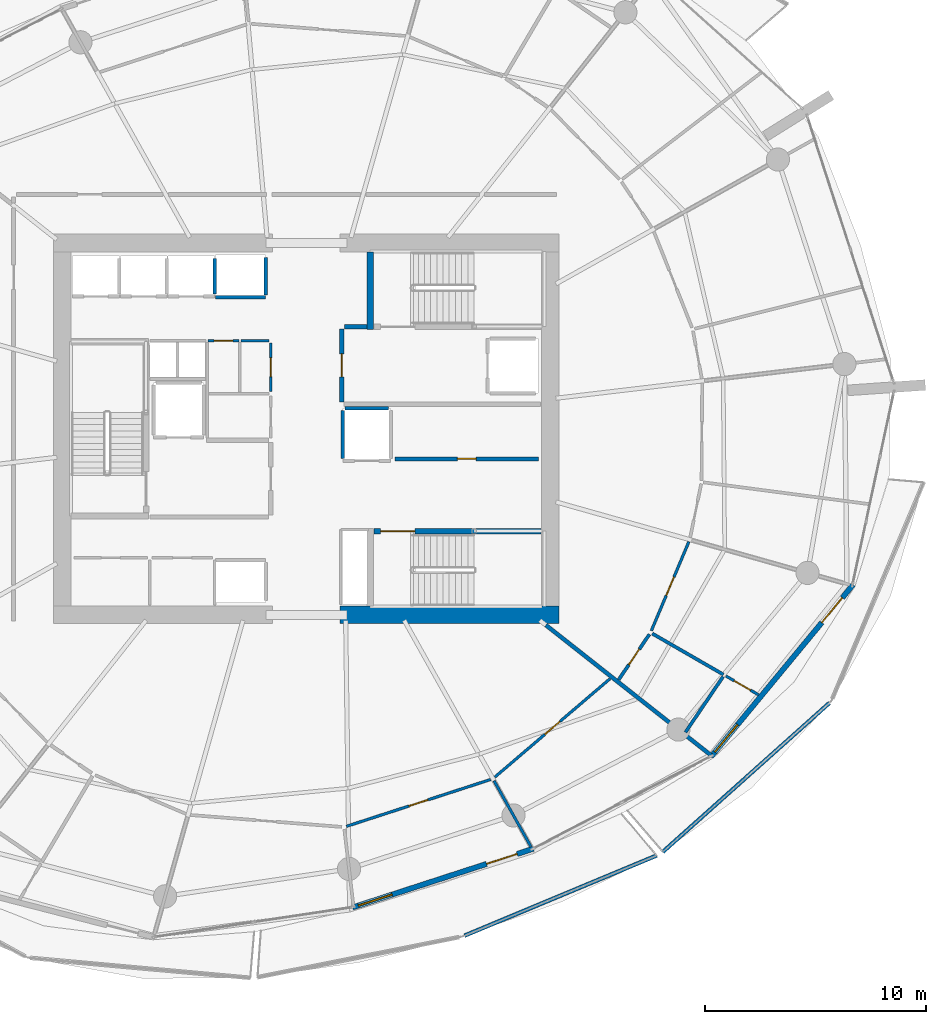
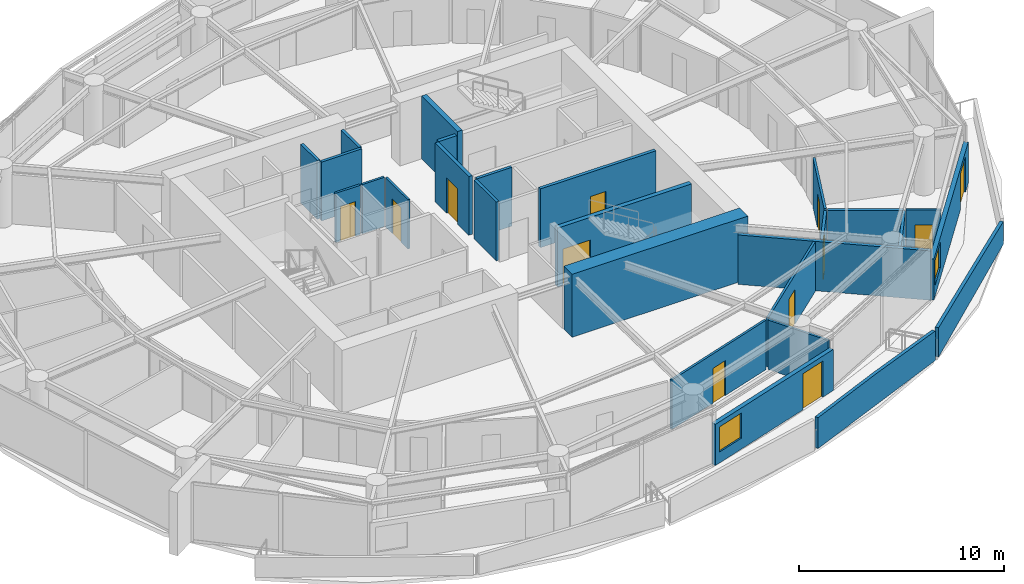
# One storey, part 13 of 20: 27 walls, 12 doors, 2 windows, 14 openings.
"""IFC4 building model written with IfcOpenShell, lengths in metres."""

from ifc_helpers import new_model, si_unit, direction, frame, frame_2d, origin, place, context, subcontext, project, spatial, polyline, rectangle, outline, extrude, material, layer, layer_set, type_object, element, fill, save


model = new_model("IFC4")

# Units and contexts
model_context = context("Model", 3, precision=1e-05, world=origin(), true_north=direction((0.0, 1.0)))
body_context = subcontext(model_context, "Body", "Model", "MODEL_VIEW")
ifc_project = project(units=[si_unit("LENGTHUNIT", "METRE"), si_unit("AREAUNIT", "SQUARE_METRE"), si_unit("VOLUMEUNIT", "CUBIC_METRE"), si_unit("PLANEANGLEUNIT", "RADIAN"), si_unit("MASSUNIT", "GRAM", prefix="KILO")], contexts=[model_context])

# Site, building, storey
site_placement = place(None, origin())
site = spatial("IfcSite", under=ifc_project, at=site_placement, CompositionType="ELEMENT")
building_placement = place(site_placement, origin())
building = spatial("IfcBuilding", under=site, at=building_placement, Name="Kazma Halo Residences", CompositionType="ELEMENT")
storey_placement = place(building_placement, frame((0.0, 0.0, 135.300048828125)))
storey = spatial("IfcBuildingStorey", under=building, at=storey_placement, Name="L33", CompositionType="ELEMENT", Elevation=135.300048828125)

# Walls
ifc_material_1 = material(Name="White Concrete C50/60 Balustrade", Category="concrete")
ifc_layer_1 = layer(ifc_material_1, 0.179931640625)
ifc_layer_set_1 = layer_set([ifc_layer_1], Name="White Concrete C50/60 Balustrade")
wall_type_1 = type_object("IfcWallType", Name="WL-BAL-WAVE-180", PredefinedType="PARAPET", material=ifc_layer_set_1)
wall_1_placement = place(storey_placement, frame((55.566650390625, 19.09912109375, 0.0), z_axis=(0.0, 0.0, 1.0), x_axis=(0.922918869306, 0.384994494349, 0.0)))
element("IfcWall", 1, at=wall_1_placement, inside=storey, type_object=wall_type_1, Name="L33 white wave balustrade wall SSE.2", PredefinedType="PARAPET", context=body_context, shape_type="SweptSolid", body=[
    extrude(outline(polyline([(0.0, 0.0), (9.4189453125, 0.0), (9.418701171875, 1.755859375), (4.70947265625, 1.85302734375), (0.0, 1.83203125), (0.0, 0.0)])), frame((0.0, 0.08984375, 0.0), z_axis=(0.0, -1.0, 0.0), x_axis=(1.0, 0.0, 0.0)), (0.0, 0.0, 1.0), 0.179931640625),
])
wall_2_placement = place(storey_placement, frame((64.52978515625, 22.8837890625, 0.0), z_axis=(0.0, 0.0, 1.0), x_axis=(0.745533944851, 0.666467656435, 0.0)))
element("IfcWall", 2, at=wall_2_placement, inside=storey, type_object=wall_type_1, Name="L33 white wave balustrade wall SE.1", PredefinedType="PARAPET", context=body_context, shape_type="SweptSolid", body=[
    extrude(outline(polyline([(0.0, 0.0), (10.10009765625, 0.0), (10.100341796875, 1.347900390625), (5.05029296875, 1.56201171875), (0.0, 1.7470703125), (0.0, 0.0)])), frame((0.0, 0.08984375, 0.0), z_axis=(0.0, -1.0, 0.0), x_axis=(1.0, 0.0, 0.0)), (0.0, 0.0, 1.0), 0.179931640625),
])
ifc_material_2 = material(Name="Concrete C80/95", Category="concrete")
ifc_layer_2 = layer(ifc_material_2, 0.800048828125)
ifc_layer_set_2 = layer_set([ifc_layer_2], Name="Concrete C80/95")
wall_type_2 = type_object("IfcWallType", Name="WL-CORE-800", PredefinedType="SHEAR", material=ifc_layer_set_2)
wall_3_placement = place(storey_placement, frame((49.949951171875, 33.60009765625, 0.0), z_axis=(0.0, 0.0, 1.0), x_axis=(1.0, 0.0, 0.0)))
element("IfcWall", 3, at=wall_3_placement, inside=storey, type_object=wall_type_2, Name="L33 central core shear wall SE", PredefinedType="SHEAR", context=body_context, shape_type="SweptSolid", body=[
    extrude(rectangle(XDim=9.900146484375, YDim=0.800048828125, at=frame_2d((4.9501953125, 0.0))), origin(), (0.0, 0.0, 1.0), 3.75),
])
ifc_material_3 = material(Name="Concrete C60/75", Category="concrete")
ifc_layer_3 = layer(ifc_material_3, 0.280029296875)
ifc_layer_set_3 = layer_set([ifc_layer_3], Name="Concrete C60/75")
wall_type_3 = type_object("IfcWallType", Name="WL-CORE-ST-280", PredefinedType="SHEAR", material=ifc_layer_set_3)
wall_4_placement = place(storey_placement, frame((51.31005859375, 46.5, 0.0), z_axis=(0.0, 0.0, 1.0), x_axis=(0.0, 1.0, 0.0)))
element("IfcWall", 4, at=wall_4_placement, inside=storey, type_object=wall_type_3, Name="L33 stairwell bearing wall ST02-W", PredefinedType="SHEAR", context=body_context, shape_type="SweptSolid", body=[
    extrude(rectangle(XDim=3.5, YDim=0.280029296875, at=frame_2d((1.75, 0.0))), origin(), (0.0, 0.0, 1.0), 3.75),
])
ifc_material_4 = material(Name="Acoustic Twin-Stud Gypsum")
ifc_layer_4 = layer(ifc_material_4, 0.179931640625)
ifc_layer_set_4 = layer_set([ifc_layer_4], Name="Acoustic Twin-Stud Gypsum")
wall_type_4 = type_object("IfcWallType", Name="WL-DEM-180", PredefinedType="PARTITIONING", material=ifc_layer_set_4)
wall_5_placement = place(storey_placement, frame((59.2490234375, 33.1318359375, 0.0), z_axis=(0.0, 0.0, 1.0), x_axis=(0.785334414621, -0.619071770647, 0.0)))
element("IfcWall", 5, at=wall_5_placement, inside=storey, type_object=wall_type_4, Name="L33 apartment demising radial wall 13", PredefinedType="PARTITIONING", context=body_context, shape_type="SweptSolid", body=[
    extrude(rectangle(XDim=9.51513671875, YDim=0.179931640625, at=frame_2d((4.757568359375, 0.0))), origin(), (0.0, 0.0, 1.0), 2.93994140625),
])

# Wall, openings, door, window
ifc_material_5 = material(Name="Insulated Pale-Metal Composite Wall")
ifc_layer_5 = layer(ifc_material_5, 0.239990234375)
ifc_layer_set_5 = layer_set([ifc_layer_5], Name="Insulated Pale-Metal Composite Wall")
wall_type_5 = type_object("IfcWallType", Name="WL-EXT-HOST-240", PredefinedType="SOLIDWALL", material=ifc_layer_set_5)
wall_6_placement = place(storey_placement, frame((50.510009765625, 20.375732421875, 0.0), z_axis=(0.0, 0.0, 1.0), x_axis=(0.951046390632, 0.309048156224, 0.0)))
wall_6 = element("IfcWall", 6, at=wall_6_placement, inside=storey, type_object=wall_type_5, Name="L33 exterior terrace-access wall B12", PredefinedType="SOLIDWALL", context=body_context, shape_type="SweptSolid", body=[
    extrude(rectangle(XDim=8.590087890625, YDim=0.239990234375, at=frame_2d((4.294921875, 0.0))), origin(), (0.0, 0.0, 1.0), 2.449951171875),
])
opening_1_placement = place(wall_6_placement, frame((6.370361328125, 0.0, 0.0)))
opening_1 = element("IfcOpeningElement", 7, at=opening_1_placement, cuts=wall_6, Name="Opening DTR-1600", PredefinedType="OPENING", context=body_context, shape_type="SweptSolid", body=[
    extrude(rectangle(XDim=1.449951171875, YDim=2.14990234375, at=frame_2d((0.72509765625, 1.074951171875))), frame((0.0, 0.1298828125, 0.0), z_axis=(0.0, -1.0, 0.0), x_axis=(1.0, 0.0, 0.0)), (0.0, 0.0, 1.0), 0.260009765625),
])
opening_2_placement = place(wall_6_placement, frame((0.280029296875, 0.0, 0.64990234375)))
opening_2 = element("IfcOpeningElement", 8, at=opening_2_placement, cuts=wall_6, Name="Opening W-1800", PredefinedType="OPENING", context=body_context, shape_type="SweptSolid", body=[
    extrude(rectangle(XDim=1.60009765625, YDim=1.5, at=frame_2d((0.800048828125, 0.75))), frame((0.0, 0.1298828125, 0.0), z_axis=(0.0, -1.0, 0.0), x_axis=(1.0, 0.0, 0.0)), (0.0, 0.0, 1.0), 0.260009765625),
])
ifc_material_6 = material(Name="Aluminium AW-6063 T6 Double-Glazed Terrace Door", Category="aluminium")
door_type_1 = type_object("IfcDoorType", Name="DR-EXT-TERR-1600", OperationType="NOTDEFINED", PredefinedType="DOOR", material=ifc_material_6)
door_1_placement = place(opening_1_placement, origin())
door_1 = element("IfcDoor", 9, at=door_1_placement, inside=storey, type_object=door_type_1, Name="L33 B12 balcony terrace door", OperationType="DOUBLE_DOOR_SLIDING", OverallHeight=2.14990234375, OverallWidth=1.449951171875, PredefinedType="DOOR", context=body_context, shape_type="SweptSolid", body=[
    extrude(rectangle(XDim=1.449951171875, YDim=2.14990234375, at=frame_2d((0.72509765625, 1.074951171875))), frame((0.0, 0.02490234375, 0.0), z_axis=(0.0, -1.0, 0.0), x_axis=(1.0, 0.0, 0.0)), (0.0, 0.0, 1.0), 0.050048828125),
])
fill(opening_1, door_1)
ifc_material_7 = material(Name="Clear Triple-Silver Low-E Glass in Aluminium AW-6063 T6 Frame", Category="aluminium")
window_type = type_object("IfcWindowType", Name="WIN-RES-1800", PartitioningType="DOUBLE_PANEL_VERTICAL", PredefinedType="WINDOW", material=ifc_material_7)
window_1_placement = place(opening_2_placement, origin())
window_1 = element("IfcWindow", 10, at=window_1_placement, inside=storey, type_object=window_type, Name="L33 B12 apartment window", OverallHeight=1.5, OverallWidth=1.60009765625, PartitioningType="SINGLE_PANEL", PredefinedType="WINDOW", context=body_context, shape_type="SweptSolid", body=[
    extrude(rectangle(XDim=1.60009765625, YDim=1.5, at=frame_2d((0.800048828125, 0.75))), frame((0.0, 0.030029296875, 0.0), z_axis=(0.0, -1.0, 0.0), x_axis=(1.0, 0.0, 0.0)), (0.0, 0.0, 1.0), 0.06005859375),
])
fill(opening_2, window_1)

wall_7_placement = place(storey_placement, frame((66.70947265625, 27.18701171875, 0.0), z_axis=(0.0, 0.0, 1.0), x_axis=(0.636771922292, 0.77105221547, 0.0)))
wall_7 = element("IfcWall", 11, at=wall_7_placement, inside=storey, type_object=wall_type_5, Name="L33 exterior terrace-access wall B14", PredefinedType="SOLIDWALL", context=body_context, shape_type="SweptSolid", body=[
    extrude(rectangle(XDim=10.08154296875, YDim=0.239990234375, at=frame_2d((5.040771484375, 0.0))), origin(), (0.0, 0.0, 1.0), 2.449951171875),
])
opening_3_placement = place(wall_7_placement, frame((7.861572265625, 0.0, 0.0)))
opening_3 = element("IfcOpeningElement", 12, at=opening_3_placement, cuts=wall_7, Name="Opening DTR-1600", PredefinedType="OPENING", context=body_context, shape_type="SweptSolid", body=[
    extrude(rectangle(XDim=1.449951171875, YDim=2.14990234375, at=frame_2d((0.72509765625, 1.074951171875))), frame((0.0, 0.1298828125, 0.0), z_axis=(0.0, -1.0, 0.0), x_axis=(1.0, 0.0, 0.0)), (0.0, 0.0, 1.0), 0.260009765625),
])
opening_4_placement = place(wall_7_placement, frame((0.280029296875, 0.0, 0.64990234375)))
opening_4 = element("IfcOpeningElement", 13, at=opening_4_placement, cuts=wall_7, Name="Opening W-1800", PredefinedType="OPENING", context=body_context, shape_type="SweptSolid", body=[
    extrude(rectangle(XDim=1.60009765625, YDim=1.5, at=frame_2d((0.800048828125, 0.75))), frame((0.0, 0.1298828125, 0.0), z_axis=(0.0, -1.0, 0.0), x_axis=(1.0, 0.0, 0.0)), (0.0, 0.0, 1.0), 0.260009765625),
])
door_2_placement = place(opening_3_placement, origin())
door_2 = element("IfcDoor", 14, at=door_2_placement, inside=storey, type_object=door_type_1, Name="L33 B14 balcony terrace door", OperationType="DOUBLE_DOOR_SLIDING", OverallHeight=2.14990234375, OverallWidth=1.449951171875, PredefinedType="DOOR", context=body_context, shape_type="SweptSolid", body=[
    extrude(rectangle(XDim=1.449951171875, YDim=2.14990234375, at=frame_2d((0.72509765625, 1.074951171875))), frame((0.0, 0.02490234375, 0.0), z_axis=(0.0, -1.0, 0.0), x_axis=(1.0, 0.0, 0.0)), (0.0, 0.0, 1.0), 0.050048828125),
])
fill(opening_3, door_2)
window_2_placement = place(opening_4_placement, origin())
window_2 = element("IfcWindow", 15, at=window_2_placement, inside=storey, type_object=window_type, Name="L33 B14 apartment window", OverallHeight=1.5, OverallWidth=1.60009765625, PartitioningType="SINGLE_PANEL", PredefinedType="WINDOW", context=body_context, shape_type="SweptSolid", body=[
    extrude(rectangle(XDim=1.60009765625, YDim=1.5, at=frame_2d((0.800048828125, 0.75))), frame((0.0, 0.030029296875, 0.0), z_axis=(0.0, -1.0, 0.0), x_axis=(1.0, 0.0, 0.0)), (0.0, 0.0, 1.0), 0.06005859375),
])
fill(opening_4, window_2)

# Walls
ifc_material_8 = material(Name="Fire-Rated Blockwork Masonry", Category="masonry")
ifc_layer_6 = layer(ifc_material_8, 0.199951171875)
ifc_layer_set_6 = layer_set([ifc_layer_6], Name="Fire-Rated Blockwork Masonry")
wall_type_6 = type_object("IfcWallType", Name="WL-FLB-200", PredefinedType="PARTITIONING", material=ifc_layer_set_6)
wall_8_placement = place(storey_placement, frame((44.27490234375, 48.094970703125, 0.0), z_axis=(0.0, 0.0, 1.0), x_axis=(0.0, 1.0, 0.0)))
element("IfcWall", 16, at=wall_8_placement, inside=storey, type_object=wall_type_6, Name="L33 lift shaft PM-03 side wall E", PredefinedType="PARTITIONING", context=body_context, shape_type="SweptSolid", body=[
    extrude(rectangle(XDim=1.610107421875, YDim=0.159912109375, at=frame_2d((0.80517578125, 0.0))), origin(), (0.0, 0.0, 1.0), 3.5),
])
wall_9_placement = place(storey_placement, frame((46.580078125, 47.945068359375, 0.0), z_axis=(0.0, 0.0, 1.0), x_axis=(-1.0, 0.0, 0.0)))
element("IfcWall", 17, at=wall_9_placement, inside=storey, type_object=wall_type_6, Name="L33 lift shaft PX-01 front wall", PredefinedType="PARTITIONING", context=body_context, shape_type="SweptSolid", body=[
    extrude(rectangle(XDim=2.260009765625, YDim=0.159912109375, at=frame_2d((1.1298828125, 0.0))), origin(), (0.0, 0.0, 1.0), 3.5),
])
wall_10_placement = place(storey_placement, frame((46.580078125, 48.044921875, 0.0), z_axis=(0.0, 0.0, 1.0), x_axis=(0.0, 1.0, 0.0)))
element("IfcWall", 18, at=wall_10_placement, inside=storey, type_object=wall_type_6, Name="L33 lift shaft PX-01 side wall E", PredefinedType="PARTITIONING", context=body_context, shape_type="SweptSolid", body=[
    extrude(rectangle(XDim=1.7099609375, YDim=0.159912109375, at=frame_2d((0.85498046875, 0.0))), origin(), (0.0, 0.0, 1.0), 3.5),
])
wall_11_placement = place(storey_placement, frame((50.070068359375, 40.669921875, 0.0), z_axis=(0.0, 0.0, 1.0), x_axis=(0.0, 1.0, 0.0)))
element("IfcWall", 19, at=wall_11_placement, inside=storey, type_object=wall_type_6, Name="L33 lift shaft SV-01 side wall W", PredefinedType="PARTITIONING", context=body_context, shape_type="SweptSolid", body=[
    extrude(rectangle(XDim=2.16015625, YDim=0.159912109375, at=frame_2d((1.080078125, 0.0))), origin(), (0.0, 0.0, 1.0), 3.5),
])
wall_12_placement = place(storey_placement, frame((50.169921875, 42.929931640625, 0.0), z_axis=(0.0, 0.0, 1.0), x_axis=(1.0, 0.0, 0.0)))
element("IfcWall", 20, at=wall_12_placement, inside=storey, type_object=wall_type_6, Name="L33 lift shaft SV-01 side wall N", PredefinedType="PARTITIONING", context=body_context, shape_type="SweptSolid", body=[
    extrude(rectangle(XDim=1.9599609375, YDim=0.159912109375, at=frame_2d((0.97998046875, 0.0))), origin(), (0.0, 0.0, 1.0), 3.5),
])

# Wall, opening, door
wall_13_placement = place(storey_placement, frame((52.419921875, 40.64990234375, 0.0), z_axis=(0.0, 0.0, 1.0), x_axis=(1.0, 0.0, 0.0)))
wall_13 = element("IfcWall", 21, at=wall_13_placement, inside=storey, type_object=wall_type_6, Name="L33 core east reserve wall", PredefinedType="PARTITIONING", context=body_context, shape_type="SweptSolid", body=[
    extrude(rectangle(XDim=6.5, YDim=0.179931640625, at=frame_2d((3.25, 0.0))), origin(), (0.0, 0.0, 1.0), 3.5),
])
opening_5_placement = place(wall_13_placement, frame((2.824951171875, 0.0, 0.0)))
opening_5 = element("IfcOpeningElement", 22, at=opening_5_placement, cuts=wall_13, Name="Opening DS-850", PredefinedType="OPENING", context=body_context, shape_type="SweptSolid", body=[
    extrude(rectangle(XDim=0.85009765625, YDim=2.06005859375, at=frame_2d((0.425048828125, 1.030029296875))), frame((0.0, 0.099853515625, 0.0), z_axis=(0.0, -1.0, 0.0), x_axis=(1.0, 0.0, 0.0)), (0.0, 0.0, 1.0), 0.199951171875),
])
ifc_material_9 = material(Name="Painted Steel Access Leaf", Category="steel")
door_type_2 = type_object("IfcDoorType", Name="DR-SVC-850", OperationType="NOTDEFINED", PredefinedType="DOOR", material=ifc_material_9)
door_3_placement = place(opening_5_placement, origin())
door_3 = element("IfcDoor", 23, at=door_3_placement, inside=storey, type_object=door_type_2, Name="L33 core east reserve door", OperationType="SINGLE_SWING_RIGHT", OverallHeight=2.06005859375, OverallWidth=0.85009765625, PredefinedType="DOOR", context=body_context, shape_type="SweptSolid", body=[
    extrude(rectangle(XDim=0.85009765625, YDim=2.06005859375, at=frame_2d((0.425048828125, 1.030029296875))), frame((0.0, 0.02490234375, 0.0), z_axis=(0.0, -1.0, 0.0), x_axis=(1.0, 0.0, 0.0)), (0.0, 0.0, 1.0), 0.050048828125),
])
fill(opening_5, door_3)

# Wall
wall_14_placement = place(storey_placement, frame((50.139892578125, 46.6201171875, 0.0), z_axis=(0.0, 0.0, 1.0), x_axis=(1.0, 0.0, 0.0)))
element("IfcWall", 24, at=wall_14_placement, inside=storey, type_object=wall_type_6, Name="L33 east firefighting lobby north closure wall", PredefinedType="PARTITIONING", context=body_context, shape_type="SweptSolid", body=[
    extrude(rectangle(XDim=1.02001953125, YDim=0.199951171875, at=frame_2d((0.510009765625, 0.0))), origin(), (0.0, 0.0, 1.0), 3.5),
])

# Wall, opening, door
wall_15_placement = place(storey_placement, frame((50.02001953125, 43.219970703125, 0.0), z_axis=(0.0, 0.0, 1.0), x_axis=(0.0, 1.0, 0.0)))
wall_15 = element("IfcWall", 25, at=wall_15_placement, inside=storey, type_object=wall_type_6, Name="L33 east firefighting lobby smoke wall", PredefinedType="PARTITIONING", context=body_context, shape_type="SweptSolid", body=[
    extrude(rectangle(XDim=3.300048828125, YDim=0.199951171875, at=frame_2d((1.64990234375, 0.0))), origin(), (0.0, 0.0, 1.0), 3.5),
])
opening_6_placement = place(wall_15_placement, frame((1.125, 0.0, 0.0)))
opening_6 = element("IfcOpeningElement", 26, at=opening_6_placement, cuts=wall_15, Name="Opening D-FLE", PredefinedType="OPENING", context=body_context, shape_type="SweptSolid", body=[
    extrude(rectangle(XDim=1.050048828125, YDim=2.10009765625, at=frame_2d((0.52490234375, 1.050048828125))), frame((0.0, 0.10986328125, 0.0), z_axis=(0.0, -1.0, 0.0), x_axis=(1.0, 0.0, 0.0)), (0.0, 0.0, 1.0), 0.219970703125),
])
ifc_material_10 = material(Name="Fire-Rated Steel Leaf", Category="steel")
door_type_3 = type_object("IfcDoorType", Name="DR-FD90-1050", OperationType="NOTDEFINED", PredefinedType="DOOR", material=ifc_material_10)
door_4_placement = place(opening_6_placement, origin())
door_4 = element("IfcDoor", 27, at=door_4_placement, inside=storey, type_object=door_type_3, Name="L33 east firefighting lobby smoke door", OperationType="SINGLE_SWING_LEFT", OverallHeight=2.10009765625, OverallWidth=1.050048828125, PredefinedType="DOOR", context=body_context, shape_type="SweptSolid", body=[
    extrude(rectangle(XDim=1.050048828125, YDim=2.10009765625, at=frame_2d((0.52490234375, 1.050048828125))), frame((0.0, 0.02490234375, 0.0), z_axis=(0.0, -1.0, 0.0), x_axis=(1.0, 0.0, 0.0)), (0.0, 0.0, 1.0), 0.050048828125),
])
fill(opening_6, door_4)

ifc_material_11 = material(Name="Gypsum Plasterboard Partition")
ifc_layer_7 = layer(ifc_material_11, 0.125)
ifc_layer_set_7 = layer_set([ifc_layer_7], Name="Gypsum Plasterboard Partition")
wall_type_7 = type_object("IfcWallType", Name="WL-PART-125", PredefinedType="PARTITIONING", material=ifc_layer_set_7)
wall_16_placement = place(storey_placement, frame((46.820068359375, 43.68994140625, 0.0), z_axis=(0.0, 0.0, 1.0), x_axis=(0.0, 1.0, 0.0)))
wall_16 = element("IfcWall", 28, at=wall_16_placement, inside=storey, type_object=wall_type_7, Name="L33 sub-metering east wall", PredefinedType="PARTITIONING", context=body_context, shape_type="SweptSolid", body=[
    extrude(rectangle(XDim=2.18994140625, YDim=0.125, at=frame_2d((1.094970703125, 0.0))), origin(), (0.0, 0.0, 1.0), 2.93994140625),
])
opening_7_placement = place(wall_16_placement, frame((0.669921875, 0.0, 0.0)))
opening_7 = element("IfcOpeningElement", 29, at=opening_7_placement, cuts=wall_16, Name="Opening DS-850", PredefinedType="OPENING", context=body_context, shape_type="SweptSolid", body=[
    extrude(rectangle(XDim=0.85009765625, YDim=2.06005859375, at=frame_2d((0.425048828125, 1.030029296875))), frame((0.0, 0.072509765625, 0.0), z_axis=(0.0, -1.0, 0.0), x_axis=(1.0, 0.0, 0.0)), (0.0, 0.0, 1.0), 0.14501953125),
])
door_5_placement = place(opening_7_placement, origin())
door_5 = element("IfcDoor", 30, at=door_5_placement, inside=storey, type_object=door_type_2, Name="L33 sub-metering door", OperationType="SINGLE_SWING_LEFT", OverallHeight=2.06005859375, OverallWidth=0.85009765625, PredefinedType="DOOR", context=body_context, shape_type="SweptSolid", body=[
    extrude(rectangle(XDim=0.85009765625, YDim=2.06005859375, at=frame_2d((0.425048828125, 1.030029296875))), frame((0.0, 0.02490234375, 0.0), z_axis=(0.0, -1.0, 0.0), x_axis=(1.0, 0.0, 0.0)), (0.0, 0.0, 1.0), 0.050048828125),
])
fill(opening_7, door_5)

wall_17_placement = place(storey_placement, frame((43.989990234375, 45.97998046875, 0.0), z_axis=(0.0, 0.0, 1.0), x_axis=(1.0, 0.0, 0.0)))
wall_17 = element("IfcWall", 31, at=wall_17_placement, inside=storey, type_object=wall_type_7, Name="L33 cleaners cupboard north wall", PredefinedType="PARTITIONING", context=body_context, shape_type="SweptSolid", body=[
    extrude(rectangle(XDim=1.380126953125, YDim=0.125, at=frame_2d((0.68994140625, 0.0))), origin(), (0.0, 0.0, 1.0), 2.93994140625),
])
opening_8_placement = place(wall_17_placement, frame((0.264892578125, 0.0, 0.0)))
opening_8 = element("IfcOpeningElement", 32, at=opening_8_placement, cuts=wall_17, Name="Opening DS-850", PredefinedType="OPENING", context=body_context, shape_type="SweptSolid", body=[
    extrude(rectangle(XDim=0.85009765625, YDim=2.06005859375, at=frame_2d((0.425048828125, 1.030029296875))), frame((0.0, 0.072509765625, 0.0), z_axis=(0.0, -1.0, 0.0), x_axis=(1.0, 0.0, 0.0)), (0.0, 0.0, 1.0), 0.14501953125),
])
door_6_placement = place(opening_8_placement, origin())
door_6 = element("IfcDoor", 33, at=door_6_placement, inside=storey, type_object=door_type_2, Name="L33 cleaners cupboard door", OperationType="SINGLE_SWING_RIGHT", OverallHeight=2.06005859375, OverallWidth=0.85009765625, PredefinedType="DOOR", context=body_context, shape_type="SweptSolid", body=[
    extrude(rectangle(XDim=0.85009765625, YDim=2.06005859375, at=frame_2d((0.425048828125, 1.030029296875))), frame((0.0, 0.02490234375, 0.0), z_axis=(0.0, -1.0, 0.0), x_axis=(1.0, 0.0, 0.0)), (0.0, 0.0, 1.0), 0.050048828125),
])
fill(opening_8, door_6)

# Wall
wall_18_placement = place(storey_placement, frame((45.47998046875, 45.97998046875, 0.0), z_axis=(0.0, 0.0, 1.0), x_axis=(1.0, 0.0, 0.0)))
element("IfcWall", 34, at=wall_18_placement, inside=storey, type_object=wall_type_7, Name="L33 sub-metering north wall", PredefinedType="PARTITIONING", context=body_context, shape_type="SweptSolid", body=[
    extrude(rectangle(XDim=1.260009765625, YDim=0.125, at=frame_2d((0.6298828125, 0.0))), origin(), (0.0, 0.0, 1.0), 2.93994140625),
])

# Wall, opening, door
wall_19_placement = place(storey_placement, frame((50.234375, 24.04052734375, 0.0), z_axis=(0.0, 0.0, 1.0), x_axis=(0.951054759124, 0.309022402339, 0.0)))
wall_19 = element("IfcWall", 35, at=wall_19_placement, inside=storey, type_object=wall_type_7, Name="L33 Apartment 1 Corner Formal Dining Room gallery wall", PredefinedType="PARTITIONING", context=body_context, shape_type="SweptSolid", body=[
    extrude(rectangle(XDim=6.849609375, YDim=0.125, at=frame_2d((3.4248046875, 0.0))), origin(), (0.0, 0.0, 1.0), 2.93994140625),
])
opening_9_placement = place(wall_19_placement, frame((2.974853515625, 0.0, 0.0)))
opening_9 = element("IfcOpeningElement", 36, at=opening_9_placement, cuts=wall_19, Name="Opening DI-950", PredefinedType="OPENING", context=body_context, shape_type="SweptSolid", body=[
    extrude(rectangle(XDim=0.89990234375, YDim=2.080078125, at=frame_2d((0.449951171875, 1.0400390625))), frame((0.0, 0.072509765625, 0.0), z_axis=(0.0, -1.0, 0.0), x_axis=(1.0, 0.0, 0.0)), (0.0, 0.0, 1.0), 0.14501953125),
])
ifc_material_12 = material(Name="Timber Veneer Flush Leaf", Category="wood")
door_type_4 = type_object("IfcDoorType", Name="DR-INT-950", OperationType="NOTDEFINED", PredefinedType="DOOR", material=ifc_material_12)
door_7_placement = place(opening_9_placement, origin())
door_7 = element("IfcDoor", 37, at=door_7_placement, inside=storey, type_object=door_type_4, Name="L33 Apartment 1 Corner Formal Dining Room door", OperationType="SINGLE_SWING_LEFT", OverallHeight=2.080078125, OverallWidth=0.89990234375, PredefinedType="DOOR", context=body_context, shape_type="SweptSolid", body=[
    extrude(rectangle(XDim=0.89990234375, YDim=2.080078125, at=frame_2d((0.449951171875, 1.0400390625))), frame((0.0, 0.02490234375, 0.0), z_axis=(0.0, -1.0, 0.0), x_axis=(1.0, 0.0, 0.0)), (0.0, 0.0, 1.0), 0.050048828125),
])
fill(opening_9, door_7)

# Wall
wall_20_placement = place(storey_placement, frame((56.902099609375, 26.10400390625, 0.0), z_axis=(0.0, 0.0, 1.0), x_axis=(0.48863819443, -0.872486512758, 0.0)))
element("IfcWall", 38, at=wall_20_placement, inside=storey, type_object=wall_type_7, Name="L33 Apartment 1 radial partition 12", PredefinedType="PARTITIONING", context=body_context, shape_type="SweptSolid", body=[
    extrude(rectangle(XDim=3.41552734375, YDim=0.125, at=frame_2d((1.707763671875, 0.0))), origin(), (0.0, 0.0, 1.0), 2.93994140625),
])

# Wall, opening, door
wall_21_placement = place(storey_placement, frame((56.93701171875, 26.2626953125, 0.0), z_axis=(0.0, 0.0, 1.0), x_axis=(0.760405214762, 0.649448927448, 0.0)))
wall_21 = element("IfcWall", 39, at=wall_21_placement, inside=storey, type_object=wall_type_7, Name="L33 Apartment 1 Garden Master Bedroom gallery wall", PredefinedType="PARTITIONING", context=body_context, shape_type="SweptSolid", body=[
    extrude(rectangle(XDim=6.849609375, YDim=0.125, at=frame_2d((3.4248046875, 0.0))), origin(), (0.0, 0.0, 1.0), 2.93994140625),
])
opening_10_placement = place(wall_21_placement, frame((2.974853515625, 0.0, 0.0)))
opening_10 = element("IfcOpeningElement", 40, at=opening_10_placement, cuts=wall_21, Name="Opening DI-950", PredefinedType="OPENING", context=body_context, shape_type="SweptSolid", body=[
    extrude(rectangle(XDim=0.89990234375, YDim=2.080078125, at=frame_2d((0.449951171875, 1.0400390625))), frame((0.0, 0.072509765625, 0.0), z_axis=(0.0, -1.0, 0.0), x_axis=(1.0, 0.0, 0.0)), (0.0, 0.0, 1.0), 0.14501953125),
])
door_8_placement = place(opening_10_placement, origin())
door_8 = element("IfcDoor", 41, at=door_8_placement, inside=storey, type_object=door_type_4, Name="L33 Apartment 1 Garden Master Bedroom door", OperationType="SINGLE_SWING_RIGHT", OverallHeight=2.080078125, OverallWidth=0.89990234375, PredefinedType="DOOR", context=body_context, shape_type="SweptSolid", body=[
    extrude(rectangle(XDim=0.89990234375, YDim=2.080078125, at=frame_2d((0.449951171875, 1.0400390625))), frame((0.0, 0.02490234375, 0.0), z_axis=(0.0, -1.0, 0.0), x_axis=(1.0, 0.0, 0.0)), (0.0, 0.0, 1.0), 0.050048828125),
])
fill(opening_10, door_8)

wall_22_placement = place(storey_placement, frame((67.381591796875, 30.833740234375, 0.0), z_axis=(0.0, 0.0, 1.0), x_axis=(0.86648352592, -0.499205668347, 0.0)))
wall_22 = element("IfcWall", 42, at=wall_22_placement, inside=storey, type_object=wall_type_7, Name="L33 Apartment 2 Household Store Room partition wall", PredefinedType="PARTITIONING", context=body_context, shape_type="SweptSolid", body=[
    extrude(rectangle(XDim=1.704345703125, YDim=0.125, at=frame_2d((0.85205078125, 0.0))), origin(), (0.0, 0.0, 1.0), 2.93994140625),
])
opening_11_placement = place(wall_22_placement, frame((0.42724609375, 0.0, 0.0)))
opening_11 = element("IfcOpeningElement", 43, at=opening_11_placement, cuts=wall_22, Name="Opening DB-900", PredefinedType="OPENING", context=body_context, shape_type="SweptSolid", body=[
    extrude(rectangle(XDim=0.85009765625, YDim=2.06005859375, at=frame_2d((0.425048828125, 1.030029296875))), frame((0.0, 0.072509765625, 0.0), z_axis=(0.0, -1.0, 0.0), x_axis=(1.0, 0.0, 0.0)), (0.0, 0.0, 1.0), 0.14501953125),
])
ifc_material_13 = material(Name="Moisture-Sealed Timber Leaf", Category="wood")
door_type_5 = type_object("IfcDoorType", Name="DR-BTH-900", OperationType="NOTDEFINED", PredefinedType="DOOR", material=ifc_material_13)
door_9_placement = place(opening_11_placement, origin())
door_9 = element("IfcDoor", 44, at=door_9_placement, inside=storey, type_object=door_type_5, Name="L33 Apartment 2 Household Store Room door", OperationType="SINGLE_SWING_RIGHT", OverallHeight=2.06005859375, OverallWidth=0.85009765625, PredefinedType="DOOR", context=body_context, shape_type="SweptSolid", body=[
    extrude(rectangle(XDim=0.85009765625, YDim=2.06005859375, at=frame_2d((0.425048828125, 1.030029296875))), frame((0.0, 0.02490234375, 0.0), z_axis=(0.0, -1.0, 0.0), x_axis=(1.0, 0.0, 0.0)), (0.0, 0.0, 1.0), 0.050048828125),
])
fill(opening_11, door_9)

wall_23_placement = place(storey_placement, frame((64.011962890625, 32.8779296875, 0.0), z_axis=(0.0, 0.0, 1.0), x_axis=(0.388339376999, 0.92151642865, 0.0)))
wall_23 = element("IfcWall", 45, at=wall_23_placement, inside=storey, type_object=wall_type_7, Name="L33 Apartment 2 Gourmet Kitchen hall wall", PredefinedType="PARTITIONING", context=body_context, shape_type="SweptSolid", body=[
    extrude(rectangle(XDim=4.367431640625, YDim=0.125, at=frame_2d((2.18359375, 0.0))), origin(), (0.0, 0.0, 1.0), 2.93994140625),
])
opening_12_placement = place(wall_23_placement, frame((1.733642578125, 0.0, 0.0)))
opening_12 = element("IfcOpeningElement", 46, at=opening_12_placement, cuts=wall_23, Name="Opening DI-950", PredefinedType="OPENING", context=body_context, shape_type="SweptSolid", body=[
    extrude(rectangle(XDim=0.89990234375, YDim=2.080078125, at=frame_2d((0.449951171875, 1.0400390625))), frame((0.0, 0.072509765625, 0.0), z_axis=(0.0, -1.0, 0.0), x_axis=(1.0, 0.0, 0.0)), (0.0, 0.0, 1.0), 0.14501953125),
])
door_10_placement = place(opening_12_placement, origin())
door_10 = element("IfcDoor", 47, at=door_10_placement, inside=storey, type_object=door_type_4, Name="L33 Apartment 2 Gourmet Kitchen door", OperationType="SINGLE_SWING_LEFT", OverallHeight=2.080078125, OverallWidth=0.89990234375, PredefinedType="DOOR", context=body_context, shape_type="SweptSolid", body=[
    extrude(rectangle(XDim=0.89990234375, YDim=2.080078125, at=frame_2d((0.449951171875, 1.0400390625))), frame((0.0, 0.02490234375, 0.0), z_axis=(0.0, -1.0, 0.0), x_axis=(1.0, 0.0, 0.0)), (0.0, 0.0, 1.0), 0.050048828125),
])
fill(opening_12, door_10)

ifc_material_14 = material(Name="Concrete C50/60", Category="concrete")
ifc_layer_8 = layer(ifc_material_14, 0.25)
ifc_layer_set_8 = layer_set([ifc_layer_8], Name="Concrete C50/60")
wall_type_8 = type_object("IfcWallType", Name="WL-SHF-250", PredefinedType="SOLIDWALL", material=ifc_layer_set_8)
wall_24_placement = place(storey_placement, frame((51.47998046875, 37.3798828125, 0.0), z_axis=(0.0, 0.0, 1.0), x_axis=(1.0, 0.0, 0.0)))
wall_24 = element("IfcWall", 48, at=wall_24_placement, inside=storey, type_object=wall_type_8, Name="L33 exit stair ST-03 enclosure wall", PredefinedType="SOLIDWALL", context=body_context, shape_type="SweptSolid", body=[
    extrude(rectangle(XDim=7.5400390625, YDim=0.25, at=frame_2d((3.77001953125, 0.0))), origin(), (0.0, 0.0, 1.0), 3.5),
])
opening_13_placement = place(wall_24_placement, frame((0.300048828125, 0.0, 0.0)))
opening_13 = element("IfcOpeningElement", 49, at=opening_13_placement, cuts=wall_24, Name="Opening D-ST3", PredefinedType="OPENING", context=body_context, shape_type="SweptSolid", body=[
    extrude(rectangle(XDim=1.550048828125, YDim=2.14990234375, at=frame_2d((0.77490234375, 1.074951171875))), frame((0.0, 0.135009765625, 0.0), z_axis=(0.0, -1.0, 0.0), x_axis=(1.0, 0.0, 0.0)), (0.0, 0.0, 1.0), 0.27001953125),
])
ifc_material_15 = material(Name="Fire-Rated Double Steel Leaf", Category="steel")
door_type_6 = type_object("IfcDoorType", Name="DR-FD90-1550", OperationType="NOTDEFINED", PredefinedType="DOOR", material=ifc_material_15)
door_11_placement = place(opening_13_placement, origin())
door_11 = element("IfcDoor", 50, at=door_11_placement, inside=storey, type_object=door_type_6, Name="L33 exit stair ST-03 fire door", OperationType="DOUBLE_DOOR_SINGLE_SWING", OverallHeight=2.14990234375, OverallWidth=1.550048828125, PredefinedType="DOOR", context=body_context, shape_type="SweptSolid", body=[
    extrude(rectangle(XDim=1.550048828125, YDim=2.14990234375, at=frame_2d((0.77490234375, 1.074951171875))), frame((0.0, 0.02490234375, 0.0), z_axis=(0.0, -1.0, 0.0), x_axis=(1.0, 0.0, 0.0)), (0.0, 0.0, 1.0), 0.050048828125),
])
fill(opening_13, door_11)

ifc_material_16 = material(Name="Moisture-Resistant Gypsum")
ifc_layer_9 = layer(ifc_material_16, 0.14990234375)
ifc_layer_set_9 = layer_set([ifc_layer_9], Name="Moisture-Resistant Gypsum")
wall_type_9 = type_object("IfcWallType", Name="WL-WET-150", PredefinedType="PARTITIONING", material=ifc_layer_set_9)
wall_25_placement = place(storey_placement, frame((62.53662109375, 30.667236328125, 0.0), z_axis=(0.0, 0.0, 1.0), x_axis=(0.560525899463, 0.828136894499, 0.0)))
wall_25 = element("IfcWall", 51, at=wall_25_placement, inside=storey, type_object=wall_type_9, Name="L33 Apartment 2 Guest Bathroom hall wall", PredefinedType="PARTITIONING", context=body_context, shape_type="SweptSolid", body=[
    extrude(rectangle(XDim=2.479736328125, YDim=0.14990234375, at=frame_2d((1.23974609375, 0.0))), origin(), (0.0, 0.0, 1.0), 2.93994140625),
])
opening_14_placement = place(wall_25_placement, frame((0.814697265625, 0.0, 0.0)))
opening_14 = element("IfcOpeningElement", 52, at=opening_14_placement, cuts=wall_25, Name="Opening DB-900", PredefinedType="OPENING", context=body_context, shape_type="SweptSolid", body=[
    extrude(rectangle(XDim=0.85009765625, YDim=2.06005859375, at=frame_2d((0.425048828125, 1.030029296875))), frame((0.0, 0.0849609375, 0.0), z_axis=(0.0, -1.0, 0.0), x_axis=(1.0, 0.0, 0.0)), (0.0, 0.0, 1.0), 0.169921875),
])
door_12_placement = place(opening_14_placement, origin())
door_12 = element("IfcDoor", 53, at=door_12_placement, inside=storey, type_object=door_type_5, Name="L33 Apartment 2 Guest Bathroom door", OperationType="SINGLE_SWING_LEFT", OverallHeight=2.06005859375, OverallWidth=0.85009765625, PredefinedType="DOOR", context=body_context, shape_type="SweptSolid", body=[
    extrude(rectangle(XDim=0.85009765625, YDim=2.06005859375, at=frame_2d((0.425048828125, 1.030029296875))), frame((0.0, 0.02490234375, 0.0), z_axis=(0.0, -1.0, 0.0), x_axis=(1.0, 0.0, 0.0)), (0.0, 0.0, 1.0), 0.050048828125),
])
fill(opening_14, door_12)

# Walls
wall_26_placement = place(storey_placement, frame((65.551513671875, 28.29052734375, 0.0), z_axis=(0.0, 0.0, 1.0), x_axis=(0.560533316815, 0.828131874003, 0.0)))
element("IfcWall", 54, at=wall_26_placement, inside=storey, type_object=wall_type_9, Name="L33 Apartment 2 Guest Bathroom back wall", PredefinedType="PARTITIONING", context=body_context, shape_type="SweptSolid", body=[
    extrude(rectangle(XDim=3.035400390625, YDim=0.14990234375, at=frame_2d((1.517578125, 0.0))), origin(), (0.0, 0.0, 1.0), 2.93994140625),
])
wall_27_placement = place(storey_placement, frame((64.05517578125, 32.750244140625, 0.0), z_axis=(0.0, 0.0, 1.0), x_axis=(0.866471470723, -0.499226592263, 0.0)))
element("IfcWall", 55, at=wall_27_placement, inside=storey, type_object=wall_type_9, Name="L33 Apartment 2 Guest Bathroom side wall", PredefinedType="PARTITIONING", context=body_context, shape_type="SweptSolid", body=[
    extrude(rectangle(XDim=3.708740234375, YDim=0.14990234375, at=frame_2d((1.8544921875, 0.0))), origin(), (0.0, 0.0, 1.0), 2.93994140625),
])

save(model, "model.ifc")
